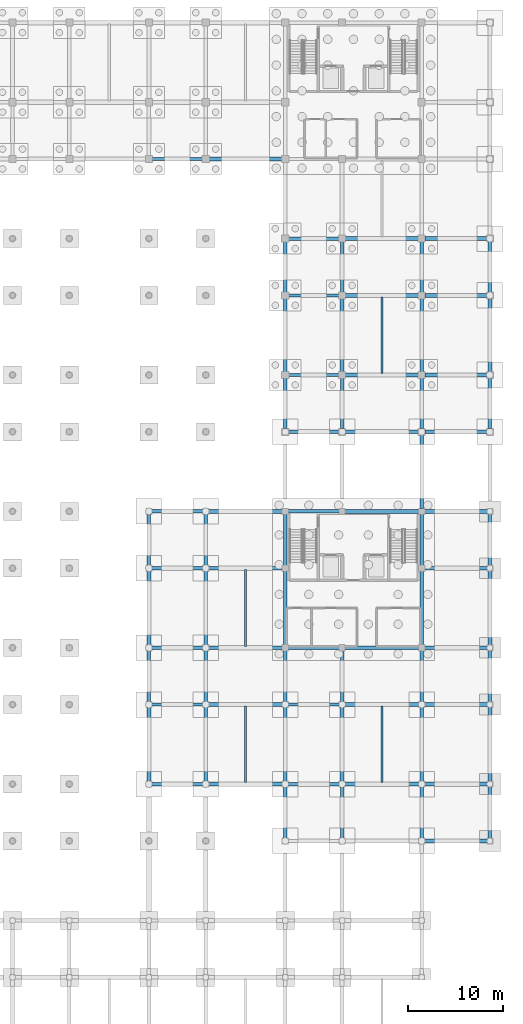
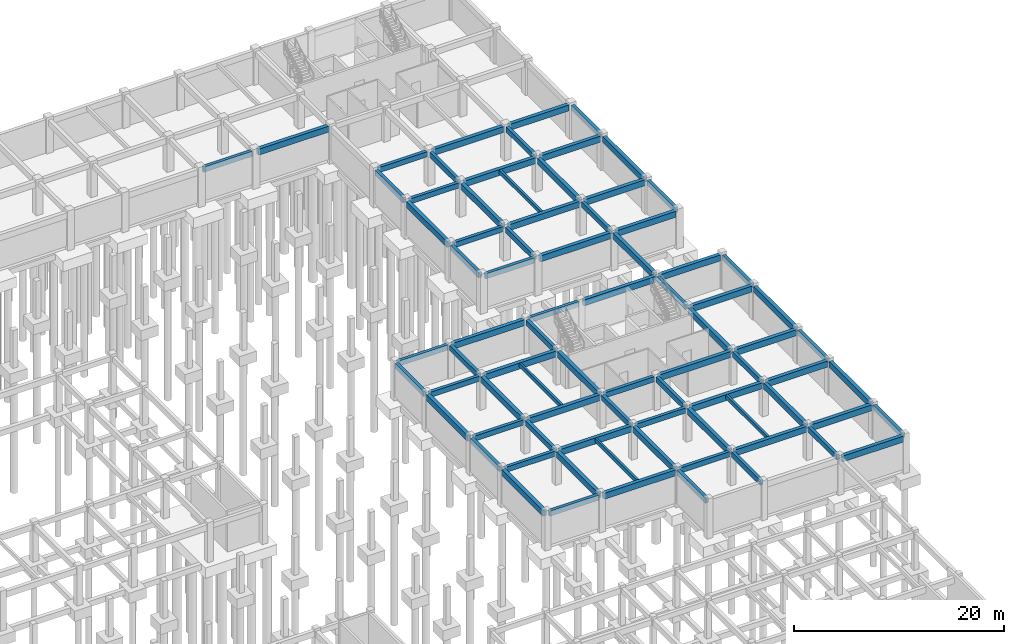
# One storey, part 22 of 40: 81 beams.
"""IFC4 building model written with IfcOpenShell, lengths in metres."""

from ifc_helpers import new_model, si_unit, direction, frame, origin, origin_2d, place, context, subcontext, project, spatial, rectangle, extrude, material, material_profile, profile_set, type_object, element, save


model = new_model("IFC4")

# Units and contexts
model_context = context("Model", 3, precision=1e-05, world=origin(), true_north=direction((0.0, 1.0)))
body_context = subcontext(model_context, "Body", "Model", "MODEL_VIEW")
ifc_project = project(units=[si_unit("LENGTHUNIT", "METRE"), si_unit("AREAUNIT", "SQUARE_METRE"), si_unit("VOLUMEUNIT", "CUBIC_METRE"), si_unit("PLANEANGLEUNIT", "RADIAN"), si_unit("MASSUNIT", "GRAM", prefix="KILO"), si_unit("THERMODYNAMICTEMPERATUREUNIT", "KELVIN")], contexts=[model_context])

# Site, building, storey
site_placement = place(None, origin())
site = spatial("IfcSite", under=ifc_project, at=site_placement, CompositionType="ELEMENT")
building_placement = place(site_placement, origin())
building = spatial("IfcBuilding", under=site, at=building_placement, Name="Thalorik Housing Commons", CompositionType="ELEMENT")
storey_placement = place(building_placement, frame((0.0, 0.0, -4.199951171875)))
storey = spatial("IfcBuildingStorey", under=building, at=storey_placement, Name="B1", CompositionType="ELEMENT", Elevation=-4.199951171875)

# Beams
ifc_material = material(Name="Precast concrete C40/50", Category="concrete")
ifc_material_profile_1 = material_profile(ifc_material, rectangle(XDim=0.35009765625, YDim=0.60009765625, at=origin_2d()), Name="PC 350x600", Category="concrete")
ifc_profile_set_1 = profile_set([ifc_material_profile_1], Name="Precast concrete C40/50")
beam_type_1 = type_object("IfcBeamType", Name="STR-BM-PC350x600", PredefinedType="BEAM", material=ifc_profile_set_1)
beam_1_placement = place(storey_placement, frame((138.27490234375, 43.199951171875, 3.599853515625), z_axis=(1.0, 0.0, 0.0), x_axis=(0.0, 1.0, 0.0)))
element("IfcBeam", 1, at=beam_1_placement, inside=storey, type_object=beam_type_1, Name="B1 Beam B-600", PredefinedType="BEAM", context=body_context, shape_type="SweptSolid", body=[
    extrude(rectangle(XDim=0.35009765625, YDim=0.60009765625, at=origin_2d()), origin(), (0.0, 0.0, 1.0), 5.4501953125),
])
beam_2_placement = place(storey_placement, frame((152.675048828125, 43.199951171875, 3.599853515625), z_axis=(1.0, 0.0, 0.0), x_axis=(0.0, 1.0, 0.0)))
element("IfcBeam", 2, at=beam_2_placement, inside=storey, type_object=beam_type_1, Name="B1 Beam B-600", PredefinedType="BEAM", context=body_context, shape_type="SweptSolid", body=[
    extrude(rectangle(XDim=0.35009765625, YDim=0.60009765625, at=origin_2d()), origin(), (0.0, 0.0, 1.0), 5.449951171875),
])
beam_3_placement = place(storey_placement, frame((138.27490234375, 51.60009765625, 3.599853515625), z_axis=(1.0, 0.0, 0.0), x_axis=(0.0, 1.0, 0.0)))
element("IfcBeam", 3, at=beam_3_placement, inside=storey, type_object=beam_type_1, Name="B1 Beam B-600", PredefinedType="BEAM", context=body_context, shape_type="SweptSolid", body=[
    extrude(rectangle(XDim=0.35009765625, YDim=0.60009765625, at=origin_2d()), origin(), (0.0, 0.0, 1.0), 5.4501953125),
])
beam_4_placement = place(storey_placement, frame((152.675048828125, 51.60009765625, 3.599853515625), z_axis=(1.0, 0.0, 0.0), x_axis=(0.0, 1.0, 0.0)))
element("IfcBeam", 4, at=beam_4_placement, inside=storey, type_object=beam_type_1, Name="B1 Beam B-600", PredefinedType="BEAM", context=body_context, shape_type="SweptSolid", body=[
    extrude(rectangle(XDim=0.35009765625, YDim=0.60009765625, at=origin_2d()), origin(), (0.0, 0.0, 1.0), 5.449951171875),
])
beam_5_placement = place(storey_placement, frame((138.27490234375, 57.60009765625, 3.599853515625), z_axis=(1.0, 0.0, 0.0), x_axis=(0.0, 1.0, 0.0)))
element("IfcBeam", 5, at=beam_5_placement, inside=storey, type_object=beam_type_1, Name="B1 Beam B-600", PredefinedType="BEAM", context=body_context, shape_type="SweptSolid", body=[
    extrude(rectangle(XDim=0.35009765625, YDim=0.60009765625, at=origin_2d()), origin(), (0.0, 0.0, 1.0), 5.4501953125),
])
beam_6_placement = place(storey_placement, frame((152.675048828125, 57.60009765625, 3.599853515625), z_axis=(1.0, 0.0, 0.0), x_axis=(0.0, 1.0, 0.0)))
element("IfcBeam", 6, at=beam_6_placement, inside=storey, type_object=beam_type_1, Name="B1 Beam B-600", PredefinedType="BEAM", context=body_context, shape_type="SweptSolid", body=[
    extrude(rectangle(XDim=0.35009765625, YDim=0.60009765625, at=origin_2d()), origin(), (0.0, 0.0, 1.0), 5.449951171875),
])
for number, where, z_axis, x_axis, name in (
    (7, (138.27490234375, 66.0, 3.599853515625), (1.0, 0.0, 0.0), (0.0, 1.0, 0.0), "B1 Beam B-600"),
    (8, (138.27490234375, 72.0, 3.599853515625), (1.0, 0.0, 0.0), (0.0, 1.0, 0.0), "B1 Beam B-600"),
):
    element("IfcBeam", number, at=place(storey_placement, frame(where, z_axis=z_axis, x_axis=x_axis)), inside=storey, type_object=beam_type_1, Name=name, PredefinedType="BEAM", context=body_context, shape_type="SweptSolid", body=[
        extrude(rectangle(XDim=0.35009765625, YDim=0.60009765625, at=origin_2d()), origin(), (0.0, 0.0, 1.0), 5.4501953125),
    ])
beam_7_placement = place(storey_placement, frame((152.675048828125, 72.0, 3.599853515625), z_axis=(1.0, 0.0, 0.0), x_axis=(0.0, 1.0, 0.0)))
element("IfcBeam", 9, at=beam_7_placement, inside=storey, type_object=beam_type_1, Name="B1 Beam B-600", PredefinedType="BEAM", context=body_context, shape_type="SweptSolid", body=[
    extrude(rectangle(XDim=0.35009765625, YDim=0.60009765625, at=origin_2d()), origin(), (0.0, 0.0, 1.0), 5.449951171875),
])
for number, where, z_axis, x_axis, name in (
    (10, (152.72509765625, 80.39990234375, 3.599853515625), (1.0, 0.0, 0.0), (0.0, 1.0, 0.0), "B1 Beam B-600"),
    (11, (152.72509765625, 86.39990234375, 3.599853515625), (1.0, 0.0, 0.0), (0.0, 1.0, 0.0), "B1 Beam B-600"),
    (12, (152.72509765625, 94.800048828125, 3.599853515625), (1.0, 0.0, 0.0), (0.0, 1.0, 0.0), "B1 Beam B-600"),
    (13, (152.72509765625, 100.800048828125, 3.599853515625), (1.0, 0.0, 0.0), (0.0, 1.0, 0.0), "B1 Beam B-600"),
):
    element("IfcBeam", number, at=place(storey_placement, frame(where, z_axis=z_axis, x_axis=x_axis)), inside=storey, type_object=beam_type_1, Name=name, PredefinedType="BEAM", context=body_context, shape_type="SweptSolid", body=[
        extrude(rectangle(XDim=0.35009765625, YDim=0.60009765625, at=origin_2d()), origin(), (0.0, 0.0, 1.0), 5.349853515625),
    ])
beam_8_placement = place(storey_placement, frame((138.324951171875, 109.199951171875, 3.599853515625), z_axis=(1.0, 0.0, 0.0), x_axis=(0.0, 1.0, 0.0)))
element("IfcBeam", 14, at=beam_8_placement, inside=storey, type_object=beam_type_1, Name="B1 Beam B-600", PredefinedType="BEAM", context=body_context, shape_type="SweptSolid", body=[
    extrude(rectangle(XDim=0.35009765625, YDim=0.60009765625, at=origin_2d()), origin(), (0.0, 0.0, 1.0), 5.35009765625),
])
beam_9_placement = place(storey_placement, frame((138.0, 51.875, 3.599853515625), z_axis=(0.0, 1.0, 0.0), x_axis=(-1.0, 0.0, 0.0)))
element("IfcBeam", 15, at=beam_9_placement, inside=storey, type_object=beam_type_1, Name="B1 Beam B-600", PredefinedType="BEAM", context=body_context, shape_type="SweptSolid", body=[
    extrude(rectangle(XDim=0.35009765625, YDim=0.60009765625, at=origin_2d()), origin(), (0.0, 0.0, 1.0), 5.449951171875),
])
beam_10_placement = place(storey_placement, frame((138.0, 66.27490234375, 3.599853515625), z_axis=(0.0, 1.0, 0.0), x_axis=(-1.0, 0.0, 0.0)))
element("IfcBeam", 16, at=beam_10_placement, inside=storey, type_object=beam_type_1, Name="B1 Beam B-600", PredefinedType="BEAM", context=body_context, shape_type="SweptSolid", body=[
    extrude(rectangle(XDim=0.35009765625, YDim=0.60009765625, at=origin_2d()), origin(), (0.0, 0.0, 1.0), 5.4501953125),
])
beam_11_placement = place(storey_placement, frame((144.0, 51.875, 3.599853515625), z_axis=(0.0, 1.0, 0.0), x_axis=(-1.0, 0.0, 0.0)))
element("IfcBeam", 17, at=beam_11_placement, inside=storey, type_object=beam_type_1, Name="B1 Beam B-600", PredefinedType="BEAM", context=body_context, shape_type="SweptSolid", body=[
    extrude(rectangle(XDim=0.35009765625, YDim=0.60009765625, at=origin_2d()), origin(), (0.0, 0.0, 1.0), 5.449951171875),
])
beam_12_placement = place(storey_placement, frame((144.0, 66.27490234375, 3.599853515625), z_axis=(0.0, 1.0, 0.0), x_axis=(-1.0, 0.0, 0.0)))
element("IfcBeam", 18, at=beam_12_placement, inside=storey, type_object=beam_type_1, Name="B1 Beam B-600", PredefinedType="BEAM", context=body_context, shape_type="SweptSolid", body=[
    extrude(rectangle(XDim=0.35009765625, YDim=0.60009765625, at=origin_2d()), origin(), (0.0, 0.0, 1.0), 5.4501953125),
])
for number, where, z_axis, x_axis, name in (
    (19, (152.39990234375, 37.47509765625, 3.599853515625), (0.0, 1.0, 0.0), (-1.0, 0.0, 0.0), "B1 Beam B-600"),
    (20, (152.39990234375, 51.875, 3.599853515625), (0.0, 1.0, 0.0), (-1.0, 0.0, 0.0), "B1 Beam B-600"),
):
    element("IfcBeam", number, at=place(storey_placement, frame(where, z_axis=z_axis, x_axis=x_axis)), inside=storey, type_object=beam_type_1, Name=name, PredefinedType="BEAM", context=body_context, shape_type="SweptSolid", body=[
        extrude(rectangle(XDim=0.35009765625, YDim=0.60009765625, at=origin_2d()), origin(), (0.0, 0.0, 1.0), 5.449951171875),
    ])
beam_13_placement = place(storey_placement, frame((152.39990234375, 66.27490234375, 3.599853515625), z_axis=(0.0, 1.0, 0.0), x_axis=(-1.0, 0.0, 0.0)))
element("IfcBeam", 21, at=beam_13_placement, inside=storey, type_object=beam_type_1, Name="B1 Beam B-600", PredefinedType="BEAM", context=body_context, shape_type="SweptSolid", body=[
    extrude(rectangle(XDim=0.35009765625, YDim=0.60009765625, at=origin_2d()), origin(), (0.0, 0.0, 1.0), 5.4501953125),
])
beam_14_placement = place(storey_placement, frame((152.39990234375, 80.72509765625, 3.599853515625), z_axis=(0.0, 1.0, 0.0), x_axis=(-1.0, 0.0, 0.0)))
element("IfcBeam", 22, at=beam_14_placement, inside=storey, type_object=beam_type_1, Name="B1 Beam B-600", PredefinedType="BEAM", context=body_context, shape_type="SweptSolid", body=[
    extrude(rectangle(XDim=0.35009765625, YDim=0.60009765625, at=origin_2d()), origin(), (0.0, 0.0, 1.0), 5.349853515625),
])
beam_15_placement = place(storey_placement, frame((152.39990234375, 95.125, 3.599853515625), z_axis=(0.0, 1.0, 0.0), x_axis=(-1.0, 0.0, 0.0)))
element("IfcBeam", 23, at=beam_15_placement, inside=storey, type_object=beam_type_1, Name="B1 Beam B-600", PredefinedType="BEAM", context=body_context, shape_type="SweptSolid", body=[
    extrude(rectangle(XDim=0.35009765625, YDim=0.60009765625, at=origin_2d()), origin(), (0.0, 0.0, 1.0), 5.35009765625),
])
for number, where, z_axis, x_axis, name in (
    (24, (158.39990234375, 37.47509765625, 3.599853515625), (0.0, 1.0, 0.0), (-1.0, 0.0, 0.0), "B1 Beam B-600"),
    (25, (158.39990234375, 51.875, 3.599853515625), (0.0, 1.0, 0.0), (-1.0, 0.0, 0.0), "B1 Beam B-600"),
):
    element("IfcBeam", number, at=place(storey_placement, frame(where, z_axis=z_axis, x_axis=x_axis)), inside=storey, type_object=beam_type_1, Name=name, PredefinedType="BEAM", context=body_context, shape_type="SweptSolid", body=[
        extrude(rectangle(XDim=0.35009765625, YDim=0.60009765625, at=origin_2d()), origin(), (0.0, 0.0, 1.0), 5.449951171875),
    ])
beam_16_placement = place(storey_placement, frame((158.39990234375, 80.72509765625, 3.599853515625), z_axis=(0.0, 1.0, 0.0), x_axis=(-1.0, 0.0, 0.0)))
element("IfcBeam", 26, at=beam_16_placement, inside=storey, type_object=beam_type_1, Name="B1 Beam B-600", PredefinedType="BEAM", context=body_context, shape_type="SweptSolid", body=[
    extrude(rectangle(XDim=0.35009765625, YDim=0.60009765625, at=origin_2d()), origin(), (0.0, 0.0, 1.0), 5.349853515625),
])
beam_17_placement = place(storey_placement, frame((158.39990234375, 95.125, 3.599853515625), z_axis=(0.0, 1.0, 0.0), x_axis=(-1.0, 0.0, 0.0)))
element("IfcBeam", 27, at=beam_17_placement, inside=storey, type_object=beam_type_1, Name="B1 Beam B-600", PredefinedType="BEAM", context=body_context, shape_type="SweptSolid", body=[
    extrude(rectangle(XDim=0.35009765625, YDim=0.60009765625, at=origin_2d()), origin(), (0.0, 0.0, 1.0), 5.35009765625),
])
for number, where, z_axis, x_axis, name in (
    (28, (166.800048828125, 37.47509765625, 3.599853515625), (0.0, 1.0, 0.0), (-1.0, 0.0, 0.0), "B1 Beam B-600"),
    (29, (166.800048828125, 51.875, 3.599853515625), (0.0, 1.0, 0.0), (-1.0, 0.0, 0.0), "B1 Beam B-600"),
):
    element("IfcBeam", number, at=place(storey_placement, frame(where, z_axis=z_axis, x_axis=x_axis)), inside=storey, type_object=beam_type_1, Name=name, PredefinedType="BEAM", context=body_context, shape_type="SweptSolid", body=[
        extrude(rectangle(XDim=0.35009765625, YDim=0.60009765625, at=origin_2d()), origin(), (0.0, 0.0, 1.0), 5.449951171875),
    ])
beam_18_placement = place(storey_placement, frame((166.800048828125, 66.27490234375, 3.599853515625), z_axis=(0.0, 1.0, 0.0), x_axis=(-1.0, 0.0, 0.0)))
element("IfcBeam", 30, at=beam_18_placement, inside=storey, type_object=beam_type_1, Name="B1 Beam B-600", PredefinedType="BEAM", context=body_context, shape_type="SweptSolid", body=[
    extrude(rectangle(XDim=0.35009765625, YDim=0.60009765625, at=origin_2d()), origin(), (0.0, 0.0, 1.0), 5.4501953125),
])
beam_19_placement = place(storey_placement, frame((166.800048828125, 80.72509765625, 3.599853515625), z_axis=(0.0, 1.0, 0.0), x_axis=(-1.0, 0.0, 0.0)))
element("IfcBeam", 31, at=beam_19_placement, inside=storey, type_object=beam_type_1, Name="B1 Beam B-600", PredefinedType="BEAM", context=body_context, shape_type="SweptSolid", body=[
    extrude(rectangle(XDim=0.35009765625, YDim=0.60009765625, at=origin_2d()), origin(), (0.0, 0.0, 1.0), 5.349853515625),
])
beam_20_placement = place(storey_placement, frame((166.800048828125, 95.125, 3.599853515625), z_axis=(0.0, 1.0, 0.0), x_axis=(-1.0, 0.0, 0.0)))
element("IfcBeam", 32, at=beam_20_placement, inside=storey, type_object=beam_type_1, Name="B1 Beam B-600", PredefinedType="BEAM", context=body_context, shape_type="SweptSolid", body=[
    extrude(rectangle(XDim=0.35009765625, YDim=0.60009765625, at=origin_2d()), origin(), (0.0, 0.0, 1.0), 5.35009765625),
])
for number, where, z_axis, x_axis, name in (
    (33, (174.0, 37.47509765625, 3.599853515625), (0.0, 1.0, 0.0), (-1.0, 0.0, 0.0), "B1 Beam B-600"),
    (34, (174.0, 51.875, 3.599853515625), (0.0, 1.0, 0.0), (-1.0, 0.0, 0.0), "B1 Beam B-600"),
):
    element("IfcBeam", number, at=place(storey_placement, frame(where, z_axis=z_axis, x_axis=x_axis)), inside=storey, type_object=beam_type_1, Name=name, PredefinedType="BEAM", context=body_context, shape_type="SweptSolid", body=[
        extrude(rectangle(XDim=0.35009765625, YDim=0.60009765625, at=origin_2d()), origin(), (0.0, 0.0, 1.0), 5.449951171875),
    ])
beam_21_placement = place(storey_placement, frame((174.0, 66.27490234375, 3.599853515625), z_axis=(0.0, 1.0, 0.0), x_axis=(-1.0, 0.0, 0.0)))
element("IfcBeam", 35, at=beam_21_placement, inside=storey, type_object=beam_type_1, Name="B1 Beam B-600", PredefinedType="BEAM", context=body_context, shape_type="SweptSolid", body=[
    extrude(rectangle(XDim=0.35009765625, YDim=0.60009765625, at=origin_2d()), origin(), (0.0, 0.0, 1.0), 5.4501953125),
])
beam_22_placement = place(storey_placement, frame((174.0, 80.72509765625, 3.599853515625), z_axis=(0.0, 1.0, 0.0), x_axis=(-1.0, 0.0, 0.0)))
element("IfcBeam", 36, at=beam_22_placement, inside=storey, type_object=beam_type_1, Name="B1 Beam B-600", PredefinedType="BEAM", context=body_context, shape_type="SweptSolid", body=[
    extrude(rectangle(XDim=0.35009765625, YDim=0.60009765625, at=origin_2d()), origin(), (0.0, 0.0, 1.0), 5.349853515625),
])
beam_23_placement = place(storey_placement, frame((174.0, 95.125, 3.599853515625), z_axis=(0.0, 1.0, 0.0), x_axis=(-1.0, 0.0, 0.0)))
element("IfcBeam", 37, at=beam_23_placement, inside=storey, type_object=beam_type_1, Name="B1 Beam B-600", PredefinedType="BEAM", context=body_context, shape_type="SweptSolid", body=[
    extrude(rectangle(XDim=0.35009765625, YDim=0.60009765625, at=origin_2d()), origin(), (0.0, 0.0, 1.0), 5.35009765625),
])
ifc_material_profile_2 = material_profile(ifc_material, rectangle(XDim=0.39990234375, YDim=0.699951171875, at=origin_2d()), Name="PC 400x700", Category="concrete")
ifc_profile_set_2 = profile_set([ifc_material_profile_2], Name="Precast concrete C40/50")
beam_type_2 = type_object("IfcBeamType", Name="STR-BM-PC400x700", PredefinedType="BEAM", material=ifc_profile_set_2)
beam_24_placement = place(storey_placement, frame((167.074951171875, 37.199951171875, 3.550048828125), z_axis=(1.0, 0.0, 0.0), x_axis=(0.0, 1.0, 0.0)))
element("IfcBeam", 38, at=beam_24_placement, inside=storey, type_object=beam_type_2, Name="B1 Beam B-700", PredefinedType="BEAM", context=body_context, shape_type="SweptSolid", body=[
    extrude(rectangle(XDim=0.39990234375, YDim=0.699951171875, at=origin_2d()), origin(), (0.0, 0.0, 1.0), 6.650146484375),
])
beam_25_placement = place(storey_placement, frame((144.27490234375, 43.199951171875, 3.550048828125), z_axis=(1.0, 0.0, 0.0), x_axis=(0.0, 1.0, 0.0)))
element("IfcBeam", 39, at=beam_25_placement, inside=storey, type_object=beam_type_2, Name="B1 Beam B-700", PredefinedType="BEAM", context=body_context, shape_type="SweptSolid", body=[
    extrude(rectangle(XDim=0.39990234375, YDim=0.699951171875, at=origin_2d()), origin(), (0.0, 0.0, 1.0), 7.85009765625),
])
beam_26_placement = place(storey_placement, frame((158.675048828125, 43.199951171875, 3.550048828125), z_axis=(1.0, 0.0, 0.0), x_axis=(0.0, 1.0, 0.0)))
element("IfcBeam", 40, at=beam_26_placement, inside=storey, type_object=beam_type_2, Name="B1 Beam B-700", PredefinedType="BEAM", context=body_context, shape_type="SweptSolid", body=[
    extrude(rectangle(XDim=0.39990234375, YDim=0.699951171875, at=origin_2d()), origin(), (0.0, 0.0, 1.0), 7.849853515625),
])
beam_27_placement = place(storey_placement, frame((167.074951171875, 43.199951171875, 3.550048828125), z_axis=(1.0, 0.0, 0.0), x_axis=(0.0, 1.0, 0.0)))
element("IfcBeam", 41, at=beam_27_placement, inside=storey, type_object=beam_type_2, Name="B1 Beam B-700", PredefinedType="BEAM", context=body_context, shape_type="SweptSolid", body=[
    extrude(rectangle(XDim=0.39990234375, YDim=0.699951171875, at=origin_2d()), origin(), (0.0, 0.0, 1.0), 6.650146484375),
])
beam_28_placement = place(storey_placement, frame((144.27490234375, 51.60009765625, 3.550048828125), z_axis=(1.0, 0.0, 0.0), x_axis=(0.0, 1.0, 0.0)))
element("IfcBeam", 42, at=beam_28_placement, inside=storey, type_object=beam_type_2, Name="B1 Beam B-700", PredefinedType="BEAM", context=body_context, shape_type="SweptSolid", body=[
    extrude(rectangle(XDim=0.39990234375, YDim=0.699951171875, at=origin_2d()), origin(), (0.0, 0.0, 1.0), 7.85009765625),
])
beam_29_placement = place(storey_placement, frame((158.675048828125, 51.60009765625, 3.550048828125), z_axis=(1.0, 0.0, 0.0), x_axis=(0.0, 1.0, 0.0)))
element("IfcBeam", 43, at=beam_29_placement, inside=storey, type_object=beam_type_2, Name="B1 Beam B-700", PredefinedType="BEAM", context=body_context, shape_type="SweptSolid", body=[
    extrude(rectangle(XDim=0.39990234375, YDim=0.699951171875, at=origin_2d()), origin(), (0.0, 0.0, 1.0), 7.849853515625),
])
beam_30_placement = place(storey_placement, frame((167.074951171875, 51.60009765625, 3.550048828125), z_axis=(1.0, 0.0, 0.0), x_axis=(0.0, 1.0, 0.0)))
element("IfcBeam", 44, at=beam_30_placement, inside=storey, type_object=beam_type_2, Name="B1 Beam B-700", PredefinedType="BEAM", context=body_context, shape_type="SweptSolid", body=[
    extrude(rectangle(XDim=0.39990234375, YDim=0.699951171875, at=origin_2d()), origin(), (0.0, 0.0, 1.0), 6.650146484375),
])
beam_31_placement = place(storey_placement, frame((144.27490234375, 57.60009765625, 3.550048828125), z_axis=(1.0, 0.0, 0.0), x_axis=(0.0, 1.0, 0.0)))
element("IfcBeam", 45, at=beam_31_placement, inside=storey, type_object=beam_type_2, Name="B1 Beam B-700", PredefinedType="BEAM", context=body_context, shape_type="SweptSolid", body=[
    extrude(rectangle(XDim=0.39990234375, YDim=0.699951171875, at=origin_2d()), origin(), (0.0, 0.0, 1.0), 7.85009765625),
])
beam_32_placement = place(storey_placement, frame((158.675048828125, 57.60009765625, 3.550048828125), z_axis=(1.0, 0.0, 0.0), x_axis=(0.0, 1.0, 0.0)))
element("IfcBeam", 46, at=beam_32_placement, inside=storey, type_object=beam_type_2, Name="B1 Beam B-700", PredefinedType="BEAM", context=body_context, shape_type="SweptSolid", body=[
    extrude(rectangle(XDim=0.39990234375, YDim=0.699951171875, at=origin_2d()), origin(), (0.0, 0.0, 1.0), 7.849853515625),
])
beam_33_placement = place(storey_placement, frame((167.074951171875, 57.60009765625, 3.550048828125), z_axis=(1.0, 0.0, 0.0), x_axis=(0.0, 1.0, 0.0)))
element("IfcBeam", 47, at=beam_33_placement, inside=storey, type_object=beam_type_2, Name="B1 Beam B-700", PredefinedType="BEAM", context=body_context, shape_type="SweptSolid", body=[
    extrude(rectangle(XDim=0.39990234375, YDim=0.699951171875, at=origin_2d()), origin(), (0.0, 0.0, 1.0), 6.650146484375),
])
beam_34_placement = place(storey_placement, frame((144.27490234375, 66.0, 3.550048828125), z_axis=(1.0, 0.0, 0.0), x_axis=(0.0, 1.0, 0.0)))
element("IfcBeam", 48, at=beam_34_placement, inside=storey, type_object=beam_type_2, Name="B1 Beam B-700", PredefinedType="BEAM", context=body_context, shape_type="SweptSolid", body=[
    extrude(rectangle(XDim=0.39990234375, YDim=0.699951171875, at=origin_2d()), origin(), (0.0, 0.0, 1.0), 7.85009765625),
])
beam_35_placement = place(storey_placement, frame((167.074951171875, 66.0, 3.550048828125), z_axis=(1.0, 0.0, 0.0), x_axis=(0.0, 1.0, 0.0)))
element("IfcBeam", 49, at=beam_35_placement, inside=storey, type_object=beam_type_2, Name="B1 Beam B-700", PredefinedType="BEAM", context=body_context, shape_type="SweptSolid", body=[
    extrude(rectangle(XDim=0.39990234375, YDim=0.699951171875, at=origin_2d()), origin(), (0.0, 0.0, 1.0), 6.650146484375),
])
beam_36_placement = place(storey_placement, frame((144.27490234375, 72.0, 3.550048828125), z_axis=(1.0, 0.0, 0.0), x_axis=(0.0, 1.0, 0.0)))
element("IfcBeam", 50, at=beam_36_placement, inside=storey, type_object=beam_type_2, Name="B1 Beam B-700", PredefinedType="BEAM", context=body_context, shape_type="SweptSolid", body=[
    extrude(rectangle(XDim=0.39990234375, YDim=0.699951171875, at=origin_2d()), origin(), (0.0, 0.0, 1.0), 7.85009765625),
])
beam_37_placement = place(storey_placement, frame((158.675048828125, 72.0, 3.550048828125), z_axis=(1.0, 0.0, 0.0), x_axis=(0.0, 1.0, 0.0)))
element("IfcBeam", 51, at=beam_37_placement, inside=storey, type_object=beam_type_2, Name="B1 Beam B-700", PredefinedType="BEAM", context=body_context, shape_type="SweptSolid", body=[
    extrude(rectangle(XDim=0.39990234375, YDim=0.699951171875, at=origin_2d()), origin(), (0.0, 0.0, 1.0), 7.849853515625),
])
beam_38_placement = place(storey_placement, frame((167.074951171875, 72.0, 3.550048828125), z_axis=(1.0, 0.0, 0.0), x_axis=(0.0, 1.0, 0.0)))
element("IfcBeam", 52, at=beam_38_placement, inside=storey, type_object=beam_type_2, Name="B1 Beam B-700", PredefinedType="BEAM", context=body_context, shape_type="SweptSolid", body=[
    extrude(rectangle(XDim=0.39990234375, YDim=0.699951171875, at=origin_2d()), origin(), (0.0, 0.0, 1.0), 6.650146484375),
])
beam_39_placement = place(storey_placement, frame((158.72509765625, 80.39990234375, 3.550048828125), z_axis=(1.0, 0.0, 0.0), x_axis=(0.0, 1.0, 0.0)))
element("IfcBeam", 53, at=beam_39_placement, inside=storey, type_object=beam_type_2, Name="B1 Beam B-700", PredefinedType="BEAM", context=body_context, shape_type="SweptSolid", body=[
    extrude(rectangle(XDim=0.39990234375, YDim=0.699951171875, at=origin_2d()), origin(), (0.0, 0.0, 1.0), 7.75),
])
beam_40_placement = place(storey_placement, frame((167.125, 80.39990234375, 3.550048828125), z_axis=(1.0, 0.0, 0.0), x_axis=(0.0, 1.0, 0.0)))
element("IfcBeam", 54, at=beam_40_placement, inside=storey, type_object=beam_type_2, Name="B1 Beam B-700", PredefinedType="BEAM", context=body_context, shape_type="SweptSolid", body=[
    extrude(rectangle(XDim=0.39990234375, YDim=0.699951171875, at=origin_2d()), origin(), (0.0, 0.0, 1.0), 6.550048828125),
])
beam_41_placement = place(storey_placement, frame((158.72509765625, 86.39990234375, 3.550048828125), z_axis=(1.0, 0.0, 0.0), x_axis=(0.0, 1.0, 0.0)))
element("IfcBeam", 55, at=beam_41_placement, inside=storey, type_object=beam_type_2, Name="B1 Beam B-700", PredefinedType="BEAM", context=body_context, shape_type="SweptSolid", body=[
    extrude(rectangle(XDim=0.39990234375, YDim=0.699951171875, at=origin_2d()), origin(), (0.0, 0.0, 1.0), 7.75),
])
beam_42_placement = place(storey_placement, frame((167.125, 86.39990234375, 3.550048828125), z_axis=(1.0, 0.0, 0.0), x_axis=(0.0, 1.0, 0.0)))
element("IfcBeam", 56, at=beam_42_placement, inside=storey, type_object=beam_type_2, Name="B1 Beam B-700", PredefinedType="BEAM", context=body_context, shape_type="SweptSolid", body=[
    extrude(rectangle(XDim=0.39990234375, YDim=0.699951171875, at=origin_2d()), origin(), (0.0, 0.0, 1.0), 6.550048828125),
])
beam_43_placement = place(storey_placement, frame((158.72509765625, 94.800048828125, 3.550048828125), z_axis=(1.0, 0.0, 0.0), x_axis=(0.0, 1.0, 0.0)))
element("IfcBeam", 57, at=beam_43_placement, inside=storey, type_object=beam_type_2, Name="B1 Beam B-700", PredefinedType="BEAM", context=body_context, shape_type="SweptSolid", body=[
    extrude(rectangle(XDim=0.39990234375, YDim=0.699951171875, at=origin_2d()), origin(), (0.0, 0.0, 1.0), 7.75),
])
beam_44_placement = place(storey_placement, frame((167.125, 94.800048828125, 3.550048828125), z_axis=(1.0, 0.0, 0.0), x_axis=(0.0, 1.0, 0.0)))
element("IfcBeam", 58, at=beam_44_placement, inside=storey, type_object=beam_type_2, Name="B1 Beam B-700", PredefinedType="BEAM", context=body_context, shape_type="SweptSolid", body=[
    extrude(rectangle(XDim=0.39990234375, YDim=0.699951171875, at=origin_2d()), origin(), (0.0, 0.0, 1.0), 6.550048828125),
])
beam_45_placement = place(storey_placement, frame((158.72509765625, 100.800048828125, 3.550048828125), z_axis=(1.0, 0.0, 0.0), x_axis=(0.0, 1.0, 0.0)))
element("IfcBeam", 59, at=beam_45_placement, inside=storey, type_object=beam_type_2, Name="B1 Beam B-700", PredefinedType="BEAM", context=body_context, shape_type="SweptSolid", body=[
    extrude(rectangle(XDim=0.39990234375, YDim=0.699951171875, at=origin_2d()), origin(), (0.0, 0.0, 1.0), 7.75),
])
beam_46_placement = place(storey_placement, frame((167.125, 100.800048828125, 3.550048828125), z_axis=(1.0, 0.0, 0.0), x_axis=(0.0, 1.0, 0.0)))
element("IfcBeam", 60, at=beam_46_placement, inside=storey, type_object=beam_type_2, Name="B1 Beam B-700", PredefinedType="BEAM", context=body_context, shape_type="SweptSolid", body=[
    extrude(rectangle(XDim=0.39990234375, YDim=0.699951171875, at=origin_2d()), origin(), (0.0, 0.0, 1.0), 6.550048828125),
])
beam_47_placement = place(storey_placement, frame((144.324951171875, 109.199951171875, 3.550048828125), z_axis=(1.0, 0.0, 0.0), x_axis=(0.0, 1.0, 0.0)))
element("IfcBeam", 61, at=beam_47_placement, inside=storey, type_object=beam_type_2, Name="B1 Beam B-700", PredefinedType="BEAM", context=body_context, shape_type="SweptSolid", body=[
    extrude(rectangle(XDim=0.39990234375, YDim=0.699951171875, at=origin_2d()), origin(), (0.0, 0.0, 1.0), 7.75),
])
beam_48_placement = place(storey_placement, frame((138.0, 43.47509765625, 3.550048828125), z_axis=(0.0, 1.0, 0.0), x_axis=(-1.0, 0.0, 0.0)))
element("IfcBeam", 62, at=beam_48_placement, inside=storey, type_object=beam_type_2, Name="B1 Beam B-700", PredefinedType="BEAM", context=body_context, shape_type="SweptSolid", body=[
    extrude(rectangle(XDim=0.39990234375, YDim=0.699951171875, at=origin_2d()), origin(), (0.0, 0.0, 1.0), 7.849853515625),
])
beam_49_placement = place(storey_placement, frame((138.0, 57.875, 3.550048828125), z_axis=(0.0, 1.0, 0.0), x_axis=(-1.0, 0.0, 0.0)))
element("IfcBeam", 63, at=beam_49_placement, inside=storey, type_object=beam_type_2, Name="B1 Beam B-700", PredefinedType="BEAM", context=body_context, shape_type="SweptSolid", body=[
    extrude(rectangle(XDim=0.39990234375, YDim=0.699951171875, at=origin_2d()), origin(), (0.0, 0.0, 1.0), 7.85009765625),
])
beam_50_placement = place(storey_placement, frame((144.0, 43.47509765625, 3.550048828125), z_axis=(0.0, 1.0, 0.0), x_axis=(-1.0, 0.0, 0.0)))
element("IfcBeam", 64, at=beam_50_placement, inside=storey, type_object=beam_type_2, Name="B1 Beam B-700", PredefinedType="BEAM", context=body_context, shape_type="SweptSolid", body=[
    extrude(rectangle(XDim=0.39990234375, YDim=0.699951171875, at=origin_2d()), origin(), (0.0, 0.0, 1.0), 7.849853515625),
])
beam_51_placement = place(storey_placement, frame((144.0, 57.875, 3.550048828125), z_axis=(0.0, 1.0, 0.0), x_axis=(-1.0, 0.0, 0.0)))
element("IfcBeam", 65, at=beam_51_placement, inside=storey, type_object=beam_type_2, Name="B1 Beam B-700", PredefinedType="BEAM", context=body_context, shape_type="SweptSolid", body=[
    extrude(rectangle(XDim=0.39990234375, YDim=0.699951171875, at=origin_2d()), origin(), (0.0, 0.0, 1.0), 7.85009765625),
])
beam_52_placement = place(storey_placement, frame((152.39990234375, 43.47509765625, 3.550048828125), z_axis=(0.0, 1.0, 0.0), x_axis=(-1.0, 0.0, 0.0)))
element("IfcBeam", 66, at=beam_52_placement, inside=storey, type_object=beam_type_2, Name="B1 Beam B-700", PredefinedType="BEAM", context=body_context, shape_type="SweptSolid", body=[
    extrude(rectangle(XDim=0.39990234375, YDim=0.699951171875, at=origin_2d()), origin(), (0.0, 0.0, 1.0), 7.849853515625),
])
beam_53_placement = place(storey_placement, frame((152.39990234375, 57.875, 3.550048828125), z_axis=(0.0, 1.0, 0.0), x_axis=(-1.0, 0.0, 0.0)))
element("IfcBeam", 67, at=beam_53_placement, inside=storey, type_object=beam_type_2, Name="B1 Beam B-700", PredefinedType="BEAM", context=body_context, shape_type="SweptSolid", body=[
    extrude(rectangle(XDim=0.39990234375, YDim=0.699951171875, at=origin_2d()), origin(), (0.0, 0.0, 1.0), 7.85009765625),
])
beam_54_placement = place(storey_placement, frame((152.39990234375, 86.72509765625, 3.550048828125), z_axis=(0.0, 1.0, 0.0), x_axis=(-1.0, 0.0, 0.0)))
element("IfcBeam", 68, at=beam_54_placement, inside=storey, type_object=beam_type_2, Name="B1 Beam B-700", PredefinedType="BEAM", context=body_context, shape_type="SweptSolid", body=[
    extrude(rectangle(XDim=0.39990234375, YDim=0.699951171875, at=origin_2d()), origin(), (0.0, 0.0, 1.0), 7.75),
])
beam_55_placement = place(storey_placement, frame((158.39990234375, 43.47509765625, 3.550048828125), z_axis=(0.0, 1.0, 0.0), x_axis=(-1.0, 0.0, 0.0)))
element("IfcBeam", 69, at=beam_55_placement, inside=storey, type_object=beam_type_2, Name="B1 Beam B-700", PredefinedType="BEAM", context=body_context, shape_type="SweptSolid", body=[
    extrude(rectangle(XDim=0.39990234375, YDim=0.699951171875, at=origin_2d()), origin(), (0.0, 0.0, 1.0), 7.849853515625),
])
beam_56_placement = place(storey_placement, frame((158.39990234375, 86.72509765625, 3.550048828125), z_axis=(0.0, 1.0, 0.0), x_axis=(-1.0, 0.0, 0.0)))
element("IfcBeam", 70, at=beam_56_placement, inside=storey, type_object=beam_type_2, Name="B1 Beam B-700", PredefinedType="BEAM", context=body_context, shape_type="SweptSolid", body=[
    extrude(rectangle(XDim=0.39990234375, YDim=0.699951171875, at=origin_2d()), origin(), (0.0, 0.0, 1.0), 7.75),
])
beam_57_placement = place(storey_placement, frame((166.800048828125, 43.47509765625, 3.550048828125), z_axis=(0.0, 1.0, 0.0), x_axis=(-1.0, 0.0, 0.0)))
element("IfcBeam", 71, at=beam_57_placement, inside=storey, type_object=beam_type_2, Name="B1 Beam B-700", PredefinedType="BEAM", context=body_context, shape_type="SweptSolid", body=[
    extrude(rectangle(XDim=0.39990234375, YDim=0.699951171875, at=origin_2d()), origin(), (0.0, 0.0, 1.0), 7.849853515625),
])
beam_58_placement = place(storey_placement, frame((166.800048828125, 57.875, 3.550048828125), z_axis=(0.0, 1.0, 0.0), x_axis=(-1.0, 0.0, 0.0)))
element("IfcBeam", 72, at=beam_58_placement, inside=storey, type_object=beam_type_2, Name="B1 Beam B-700", PredefinedType="BEAM", context=body_context, shape_type="SweptSolid", body=[
    extrude(rectangle(XDim=0.39990234375, YDim=0.699951171875, at=origin_2d()), origin(), (0.0, 0.0, 1.0), 7.85009765625),
])
beam_59_placement = place(storey_placement, frame((166.800048828125, 86.72509765625, 3.550048828125), z_axis=(0.0, 1.0, 0.0), x_axis=(-1.0, 0.0, 0.0)))
element("IfcBeam", 73, at=beam_59_placement, inside=storey, type_object=beam_type_2, Name="B1 Beam B-700", PredefinedType="BEAM", context=body_context, shape_type="SweptSolid", body=[
    extrude(rectangle(XDim=0.39990234375, YDim=0.699951171875, at=origin_2d()), origin(), (0.0, 0.0, 1.0), 7.75),
])
beam_60_placement = place(storey_placement, frame((174.0, 43.47509765625, 3.550048828125), z_axis=(0.0, 1.0, 0.0), x_axis=(-1.0, 0.0, 0.0)))
element("IfcBeam", 74, at=beam_60_placement, inside=storey, type_object=beam_type_2, Name="B1 Beam B-700", PredefinedType="BEAM", context=body_context, shape_type="SweptSolid", body=[
    extrude(rectangle(XDim=0.39990234375, YDim=0.699951171875, at=origin_2d()), origin(), (0.0, 0.0, 1.0), 7.849853515625),
])
beam_61_placement = place(storey_placement, frame((174.0, 57.875, 3.550048828125), z_axis=(0.0, 1.0, 0.0), x_axis=(-1.0, 0.0, 0.0)))
element("IfcBeam", 75, at=beam_61_placement, inside=storey, type_object=beam_type_2, Name="B1 Beam B-700", PredefinedType="BEAM", context=body_context, shape_type="SweptSolid", body=[
    extrude(rectangle(XDim=0.39990234375, YDim=0.699951171875, at=origin_2d()), origin(), (0.0, 0.0, 1.0), 7.85009765625),
])
beam_62_placement = place(storey_placement, frame((174.0, 86.72509765625, 3.550048828125), z_axis=(0.0, 1.0, 0.0), x_axis=(-1.0, 0.0, 0.0)))
element("IfcBeam", 76, at=beam_62_placement, inside=storey, type_object=beam_type_2, Name="B1 Beam B-700", PredefinedType="BEAM", context=body_context, shape_type="SweptSolid", body=[
    extrude(rectangle(XDim=0.39990234375, YDim=0.699951171875, at=origin_2d()), origin(), (0.0, 0.0, 1.0), 7.75),
])
beam_63_placement = place(storey_placement, frame((166.800048828125, 72.284912109375, 3.599853515625), z_axis=(0.0, 1.0, 0.0), x_axis=(-1.0, 0.0, 0.0)))
element("IfcBeam", 77, at=beam_63_placement, inside=storey, type_object=beam_type_2, Name="B1 Plaza Edge Beam Y 5", PredefinedType="BEAM", context=body_context, shape_type="SweptSolid", body=[
    extrude(rectangle(XDim=0.39990234375, YDim=0.699951171875, at=origin_2d()), origin(), (0.0, 0.0, 1.0), 7.780029296875),
])
ifc_material_profile_3 = material_profile(ifc_material, rectangle(XDim=0.239990234375, YDim=0.43994140625, at=origin_2d()), Name="PC JST 240x440", Category="concrete")
ifc_profile_set_3 = profile_set([ifc_material_profile_3], Name="Precast concrete C40/50")
beam_type_3 = type_object("IfcBeamType", Name="STR-JST-PC240x440", PredefinedType="JOIST", material=ifc_profile_set_3)
for number, where, z_axis, x_axis, name in (
    (78, (148.199951171875, 43.35009765625, 3.679931640625), (0.0, 1.0, 0.0), (-1.0, 0.0, 0.0), "B1 Beam J-440"),
    (79, (162.60009765625, 43.35009765625, 3.679931640625), (0.0, 1.0, 0.0), (-1.0, 0.0, 0.0), "B1 Beam J-440"),
):
    element("IfcBeam", number, at=place(storey_placement, frame(where, z_axis=z_axis, x_axis=x_axis)), inside=storey, type_object=beam_type_3, Name=name, PredefinedType="JOIST", context=body_context, shape_type="SweptSolid", body=[
        extrude(rectangle(XDim=0.239990234375, YDim=0.43994140625, at=origin_2d()), origin(), (0.0, 0.0, 1.0), 8.099853515625),
    ])
beam_64_placement = place(storey_placement, frame((148.199951171875, 57.75, 3.679931640625), z_axis=(0.0, 1.0, 0.0), x_axis=(-1.0, 0.0, 0.0)))
element("IfcBeam", 80, at=beam_64_placement, inside=storey, type_object=beam_type_3, Name="B1 Beam J-440", PredefinedType="JOIST", context=body_context, shape_type="SweptSolid", body=[
    extrude(rectangle(XDim=0.239990234375, YDim=0.43994140625, at=origin_2d()), origin(), (0.0, 0.0, 1.0), 8.10009765625),
])
beam_65_placement = place(storey_placement, frame((162.60009765625, 86.550048828125, 3.679931640625), z_axis=(0.0, 1.0, 0.0), x_axis=(-1.0, 0.0, 0.0)))
element("IfcBeam", 81, at=beam_65_placement, inside=storey, type_object=beam_type_3, Name="B1 Beam J-440", PredefinedType="JOIST", context=body_context, shape_type="SweptSolid", body=[
    extrude(rectangle(XDim=0.239990234375, YDim=0.43994140625, at=origin_2d()), origin(), (0.0, 0.0, 1.0), 8.099853515625),
])

save(model, "model.ifc")
